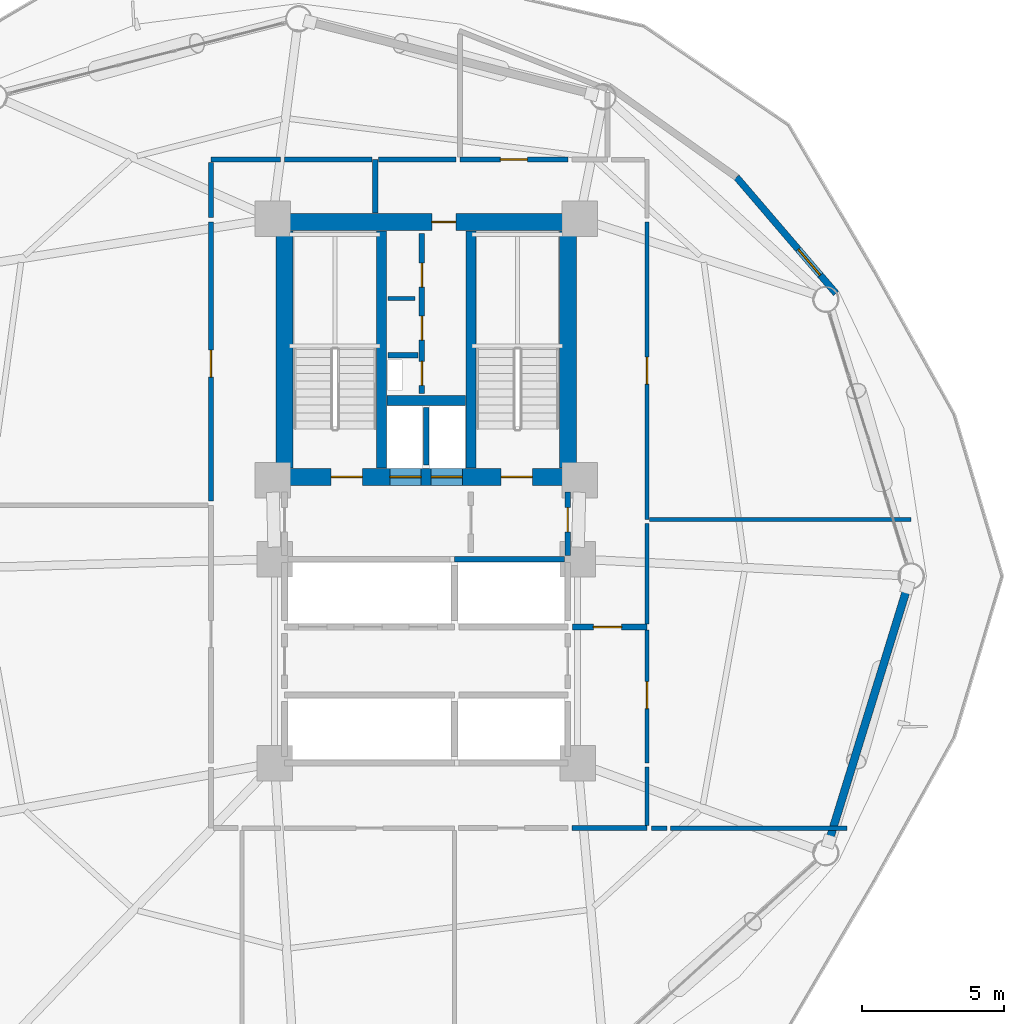
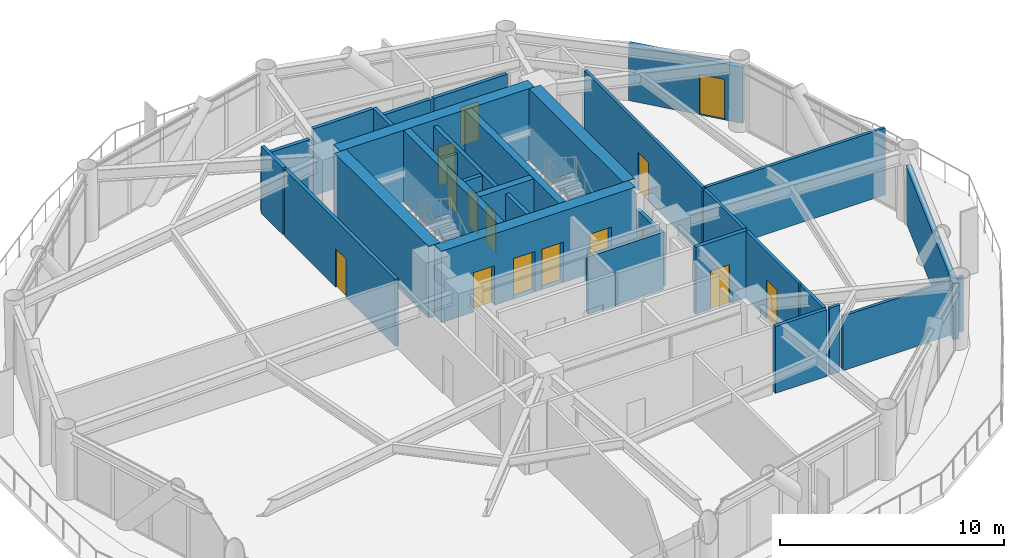
# One storey, part 18 of 22: 31 walls, 15 doors, 15 openings.
"""IFC4 building model written with IfcOpenShell, lengths in metres."""

from ifc_helpers import new_model, si_unit, direction, frame, frame_2d, origin, place, context, subcontext, project, spatial, rectangle, extrude, material, layer, layer_set, type_object, element, fill, save


model = new_model("IFC4")

# Units and contexts
model_context = context("Model", 3, precision=1e-05, world=origin(), true_north=direction((0.0, 1.0)))
body_context = subcontext(model_context, "Body", "Model", "MODEL_VIEW")
ifc_project = project(units=[si_unit("LENGTHUNIT", "METRE"), si_unit("AREAUNIT", "SQUARE_METRE"), si_unit("VOLUMEUNIT", "CUBIC_METRE"), si_unit("PLANEANGLEUNIT", "RADIAN"), si_unit("MASSUNIT", "GRAM", prefix="KILO")], contexts=[model_context])

# Site, building, storey
site_placement = place(None, origin())
site = spatial("IfcSite", under=ifc_project, at=site_placement, CompositionType="ELEMENT")
building_placement = place(site_placement, origin())
building = spatial("IfcBuilding", under=site, at=building_placement, Name="Varnakorn Sky Granary", CompositionType="ELEMENT")
storey_placement = place(building_placement, frame((0.0, 0.0, 66.60009765625)))
storey = spatial("IfcBuildingStorey", under=building, at=storey_placement, Name="L16", CompositionType="ELEMENT", Elevation=66.60009765625)

# Walls
ifc_material_1 = material(Name="Concrete C50/60", Category="concrete")
ifc_layer_1 = layer(ifc_material_1, 0.35009765625, Name="Concrete C50/60")
ifc_layer_set_1 = layer_set([ifc_layer_1], Name="Concrete C50/60")
wall_type_1 = type_object("IfcWallType", Name="WT-CW-INT-350", PredefinedType="SHEAR", material=ifc_layer_set_1)
for number, where, z_axis, x_axis, name in (
    (1, (1.419921875, 3.81005859375, 0.0), (0.0, 0.0, 1.0), (0.0, 1.0, 0.0), "Stair ST-1 Core Wall L16"),
    (2, (4.580078125, 3.81005859375, 0.0), (0.0, 0.0, 1.0), (0.0, 1.0, 0.0), "Stair ST-2 Core Wall L16"),
):
    element("IfcWall", number, at=place(storey_placement, frame(where, z_axis=z_axis, x_axis=x_axis)), inside=storey, type_object=wall_type_1, Name=name, PredefinedType="SHEAR", context=body_context, shape_type="SweptSolid", body=[
        extrude(rectangle(XDim=8.3798828125, YDim=0.35009765625, at=frame_2d((4.18994140625, 0.0))), origin(), (0.0, 0.0, 1.0), 3.891845703125),
    ])
wall_1_placement = place(storey_placement, frame((1.610107421875, 6.199951171875, 0.0), z_axis=(0.0, 0.0, 1.0), x_axis=(1.0, 0.0, 0.0)))
element("IfcWall", 3, at=wall_1_placement, inside=storey, type_object=wall_type_1, Name="Core Lift Shaft Cross Wall L16", PredefinedType="SHEAR", context=body_context, shape_type="SweptSolid", body=[
    extrude(rectangle(XDim=2.77978515625, YDim=0.35009765625, at=frame_2d((1.389892578125, 0.0))), origin(), (0.0, 0.0, 1.0), 3.891845703125),
])

# Wall, openings, doors
ifc_material_2 = material(Name="Concrete C60/75", Category="concrete")
ifc_layer_2 = layer(ifc_material_2, 0.60009765625, Name="Concrete C60/75")
ifc_layer_set_2 = layer_set([ifc_layer_2], Name="Concrete C60/75")
wall_type_2 = type_object("IfcWallType", Name="WT-CW-SHEAR-600", PredefinedType="SHEAR", material=ifc_layer_set_2)
wall_2_placement = place(storey_placement, frame((-2.0, 3.5, 0.0), z_axis=(0.0, 0.0, 1.0), x_axis=(1.0, 0.0, 0.0)))
wall_2 = element("IfcWall", 4, at=wall_2_placement, inside=storey, type_object=wall_type_2, Name="Core South Shear Wall L16", PredefinedType="SHEAR", context=body_context, shape_type="SweptSolid", body=[
    extrude(rectangle(XDim=10.0, YDim=0.60009765625, at=frame_2d((5.0, 0.0))), origin(), (0.0, 0.0, 1.0), 3.891845703125),
])
opening_1_placement = place(wall_2_placement, frame((1.64990234375, 0.0, 0.0)))
opening_1 = element("IfcOpeningElement", 5, at=opening_1_placement, cuts=wall_2, Name="Opening FD-90", PredefinedType="OPENING", context=body_context, shape_type="SweptSolid", body=[
    extrude(rectangle(XDim=1.10009765625, YDim=2.14990234375, at=frame_2d((0.550048828125, 1.074951171875))), frame((0.0, 0.31005859375, 0.0), z_axis=(0.0, -1.0, 0.0), x_axis=(1.0, 0.0, 0.0)), (0.0, 0.0, 1.0), 0.6201171875),
])
opening_2_placement = place(wall_2_placement, frame((7.64990234375, 0.0, 0.0)))
opening_2 = element("IfcOpeningElement", 6, at=opening_2_placement, cuts=wall_2, Name="Opening FD-90", PredefinedType="OPENING", context=body_context, shape_type="SweptSolid", body=[
    extrude(rectangle(XDim=1.10009765625, YDim=2.14990234375, at=frame_2d((0.550048828125, 1.074951171875))), frame((0.0, 0.31005859375, 0.0), z_axis=(0.0, -1.0, 0.0), x_axis=(1.0, 0.0, 0.0)), (0.0, 0.0, 1.0), 0.6201171875),
])
opening_3_placement = place(wall_2_placement, frame((3.719970703125, 0.0, 0.0)))
opening_3 = element("IfcOpeningElement", 7, at=opening_3_placement, cuts=wall_2, Name="Opening LD-01", PredefinedType="OPENING", context=body_context, shape_type="SweptSolid", body=[
    extrude(rectangle(XDim=1.10009765625, YDim=2.199951171875, at=frame_2d((0.550048828125, 1.10009765625))), frame((0.0, 0.31005859375, 0.0), z_axis=(0.0, -1.0, 0.0), x_axis=(1.0, 0.0, 0.0)), (0.0, 0.0, 1.0), 0.6201171875),
])
opening_4_placement = place(wall_2_placement, frame((5.179931640625, 0.0, 0.0)))
opening_4 = element("IfcOpeningElement", 8, at=opening_4_placement, cuts=wall_2, Name="Opening LD-01", PredefinedType="OPENING", context=body_context, shape_type="SweptSolid", body=[
    extrude(rectangle(XDim=1.10009765625, YDim=2.199951171875, at=frame_2d((0.550048828125, 1.10009765625))), frame((0.0, 0.31005859375, 0.0), z_axis=(0.0, -1.0, 0.0), x_axis=(1.0, 0.0, 0.0)), (0.0, 0.0, 1.0), 0.6201171875),
])
ifc_material_3 = material(Name="Brushed Bronze Stainless Steel", Category="steel")
door_type_1 = type_object("IfcDoorType", Name="DR-LD-1100", OperationType="DOUBLE_DOOR_SLIDING", PredefinedType="DOOR", material=ifc_material_3)
door_1_placement = place(opening_3_placement, origin())
door_1 = element("IfcDoor", 9, at=door_1_placement, inside=storey, type_object=door_type_1, Name="Firefighting Lift FFL-1 Landing Door L16", OperationType="DOUBLE_DOOR_SLIDING", OverallHeight=2.199951171875, OverallWidth=1.10009765625, PredefinedType="DOOR", context=body_context, shape_type="SweptSolid", body=[
    extrude(rectangle(XDim=1.10009765625, YDim=2.199951171875, at=frame_2d((0.550048828125, 1.10009765625))), frame((0.0, 0.02490234375, 0.0), z_axis=(0.0, -1.0, 0.0), x_axis=(1.0, 0.0, 0.0)), (0.0, 0.0, 1.0), 0.050048828125),
])
fill(opening_3, door_1)
door_2_placement = place(opening_4_placement, origin())
door_2 = element("IfcDoor", 10, at=door_2_placement, inside=storey, type_object=door_type_1, Name="Firefighting Lift FFL-2 Landing Door L16", OperationType="DOUBLE_DOOR_SLIDING", OverallHeight=2.199951171875, OverallWidth=1.10009765625, PredefinedType="DOOR", context=body_context, shape_type="SweptSolid", body=[
    extrude(rectangle(XDim=1.10009765625, YDim=2.199951171875, at=frame_2d((0.550048828125, 1.10009765625))), frame((0.0, 0.02490234375, 0.0), z_axis=(0.0, -1.0, 0.0), x_axis=(1.0, 0.0, 0.0)), (0.0, 0.0, 1.0), 0.050048828125),
])
fill(opening_4, door_2)
ifc_material_4 = material(Name="Galvanised Painted Steel Leaf", Category="steel")
door_type_2 = type_object("IfcDoorType", Name="DR-STAIR-1100", OperationType="NOTDEFINED", PredefinedType="DOOR", material=ifc_material_4)
door_3_placement = place(opening_1_placement, origin())
door_3 = element("IfcDoor", 11, at=door_3_placement, inside=storey, type_object=door_type_2, Name="Stair ST-1 Protected Fire Door L16", OperationType="SINGLE_SWING_LEFT", OverallHeight=2.14990234375, OverallWidth=1.10009765625, PredefinedType="DOOR", context=body_context, shape_type="SweptSolid", body=[
    extrude(rectangle(XDim=1.10009765625, YDim=2.14990234375, at=frame_2d((0.550048828125, 1.074951171875))), frame((0.0, 0.02490234375, 0.0), z_axis=(0.0, -1.0, 0.0), x_axis=(1.0, 0.0, 0.0)), (0.0, 0.0, 1.0), 0.050048828125),
])
fill(opening_1, door_3)
door_4_placement = place(opening_2_placement, origin())
door_4 = element("IfcDoor", 12, at=door_4_placement, inside=storey, type_object=door_type_2, Name="Stair ST-2 Protected Fire Door L16", OperationType="SINGLE_SWING_RIGHT", OverallHeight=2.14990234375, OverallWidth=1.10009765625, PredefinedType="DOOR", context=body_context, shape_type="SweptSolid", body=[
    extrude(rectangle(XDim=1.10009765625, YDim=2.14990234375, at=frame_2d((0.550048828125, 1.074951171875))), frame((0.0, 0.02490234375, 0.0), z_axis=(0.0, -1.0, 0.0), x_axis=(1.0, 0.0, 0.0)), (0.0, 0.0, 1.0), 0.050048828125),
])
fill(opening_2, door_4)

# Wall, opening, door
wall_3_placement = place(storey_placement, frame((-2.0, 12.5, 0.0), z_axis=(0.0, 0.0, 1.0), x_axis=(1.0, 0.0, 0.0)))
wall_3 = element("IfcWall", 13, at=wall_3_placement, inside=storey, type_object=wall_type_2, Name="Core North Shear Wall L16", PredefinedType="SHEAR", context=body_context, shape_type="SweptSolid", body=[
    extrude(rectangle(XDim=10.0, YDim=0.60009765625, at=frame_2d((5.0, 0.0))), origin(), (0.0, 0.0, 1.0), 3.891845703125),
])
opening_5_placement = place(wall_3_placement, frame((5.199951171875, 0.0, 0.0)))
opening_5 = element("IfcOpeningElement", 14, at=opening_5_placement, cuts=wall_3, Name="Opening FD-60N", PredefinedType="OPENING", context=body_context, shape_type="SweptSolid", body=[
    extrude(rectangle(XDim=0.85009765625, YDim=2.10009765625, at=frame_2d((0.425048828125, 1.050048828125))), frame((0.0, 0.31005859375, 0.0), z_axis=(0.0, -1.0, 0.0), x_axis=(1.0, 0.0, 0.0)), (0.0, 0.0, 1.0), 0.6201171875),
])
ifc_material_5 = material(Name="Acoustic Timber Fire Leaf", Category="wood")
door_type_3 = type_object("IfcDoorType", Name="DR-FD60-850", OperationType="NOTDEFINED", PredefinedType="DOOR", material=ifc_material_5)
door_5_placement = place(opening_5_placement, origin())
door_5 = element("IfcDoor", 15, at=door_5_placement, inside=storey, type_object=door_type_3, Name="Core North Service Door L16", OperationType="SINGLE_SWING_RIGHT", OverallHeight=2.10009765625, OverallWidth=0.85009765625, PredefinedType="DOOR", context=body_context, shape_type="SweptSolid", body=[
    extrude(rectangle(XDim=0.85009765625, YDim=2.10009765625, at=frame_2d((0.425048828125, 1.050048828125))), frame((0.0, 0.02490234375, 0.0), z_axis=(0.0, -1.0, 0.0), x_axis=(1.0, 0.0, 0.0)), (0.0, 0.0, 1.0), 0.050048828125),
])
fill(opening_5, door_5)

# Walls
for number, where, z_axis, x_axis, name in (
    (16, (-2.0, 3.81005859375, 0.0), (0.0, 0.0, 1.0), (0.0, 1.0, 0.0), "Core West Shear Wall L16"),
    (17, (8.0, 3.81005859375, 0.0), (0.0, 0.0, 1.0), (0.0, 1.0, 0.0), "Core East Shear Wall L16"),
):
    element("IfcWall", number, at=place(storey_placement, frame(where, z_axis=z_axis, x_axis=x_axis)), inside=storey, type_object=wall_type_2, Name=name, PredefinedType="SHEAR", context=body_context, shape_type="SweptSolid", body=[
        extrude(rectangle(XDim=8.3798828125, YDim=0.60009765625, at=frame_2d((4.18994140625, 0.0))), origin(), (0.0, 0.0, 1.0), 3.891845703125),
    ])

# Wall, opening, door
ifc_material_6 = material(Name="Precast concrete C40/50", Category="concrete")
ifc_layer_3 = layer(ifc_material_6, 0.239990234375, Name="Precast concrete C40/50")
ifc_layer_set_3 = layer_set([ifc_layer_3], Name="Precast concrete C40/50")
wall_type_3 = type_object("IfcWallType", Name="WT-EW-BAL-260", PredefinedType="SOLIDWALL", material=ifc_layer_set_3)
wall_4_placement = place(storey_placement, frame((13.95654296875, 14.079833984375, 0.0), z_axis=(0.0, 0.0, 1.0), x_axis=(0.650526988361, -0.759483138334, 0.0)))
wall_4 = element("IfcWall", 18, at=wall_4_placement, inside=storey, type_object=wall_type_3, Name="Balcony Threshold Facade Wall L16-B02A", PredefinedType="SOLIDWALL", context=body_context, shape_type="SweptSolid", body=[
    extrude(rectangle(XDim=5.400146484375, YDim=0.239990234375, at=frame_2d((2.7001953125, 0.0))), origin(), (0.0, 0.0, 1.0), 3.059814453125),
])
opening_6_placement = place(wall_4_placement, frame((3.35009765625, 0.0, 0.0)))
opening_6 = element("IfcOpeningElement", 19, at=opening_6_placement, cuts=wall_4, Name="Opening BD-01", PredefinedType="OPENING", context=body_context, shape_type="SweptSolid", body=[
    extrude(rectangle(XDim=1.199951171875, YDim=2.199951171875, at=frame_2d((0.60009765625, 1.10009765625))), frame((0.0, 0.1298828125, 0.0), z_axis=(0.0, -1.0, 0.0), x_axis=(1.0, 0.0, 0.0)), (0.0, 0.0, 1.0), 0.260009765625),
])
ifc_material_7 = material(Name="Anodised Bronze Aluminium Alloy 6063-T6", Category="aluminium")
door_type_4 = type_object("IfcDoorType", Name="DR-BAL-1200", OperationType="NOTDEFINED", PredefinedType="DOOR", material=ifc_material_7)
door_6_placement = place(opening_6_placement, origin())
door_6 = element("IfcDoor", 20, at=door_6_placement, inside=storey, type_object=door_type_4, Name="Sky-Farm Balcony Access Door L16", OperationType="SINGLE_SWING_RIGHT", OverallHeight=2.199951171875, OverallWidth=1.199951171875, PredefinedType="DOOR", context=body_context, shape_type="SweptSolid", body=[
    extrude(rectangle(XDim=1.199951171875, YDim=2.199951171875, at=frame_2d((0.60009765625, 1.10009765625))), frame((0.0, 0.02490234375, 0.0), z_axis=(0.0, -1.0, 0.0), x_axis=(1.0, 0.0, 0.0)), (0.0, 0.0, 1.0), 0.050048828125),
])
fill(opening_6, door_6)

# Wall
ifc_layer_4 = layer(ifc_material_6, 0.280029296875, Name="Precast concrete C40/50")
ifc_layer_set_4 = layer_set([ifc_layer_4], Name="Precast concrete C40/50")
wall_type_4 = type_object("IfcWallType", Name="WT-EW-CRN-280", PredefinedType="SOLIDWALL", material=ifc_layer_set_4)
wall_5_placement = place(storey_placement, frame((19.987548828125, -0.393798828125, 0.0), z_axis=(0.0, 0.0, 1.0), x_axis=(-0.294783437879, -0.955564087203, 0.0)))
element("IfcWall", 21, at=wall_5_placement, inside=storey, type_object=wall_type_4, Name="Agritech Insulated Precast Facade Wall L16-P12", PredefinedType="SOLIDWALL", context=body_context, shape_type="SweptSolid", body=[
    extrude(rectangle(XDim=9.3935546875, YDim=0.280029296875, at=frame_2d((4.69677734375, 0.0))), origin(), (0.0, 0.0, 1.0), 3.059814453125),
])

# Wall, openings, doors
ifc_material_8 = material(Name="Autoclaved Aerated Concrete Blockwork", Category="masonry")
ifc_layer_5 = layer(ifc_material_8, 0.199951171875, Name="Autoclaved Aerated Concrete Blockwork")
ifc_layer_set_5 = layer_set([ifc_layer_5], Name="Autoclaved Aerated Concrete Blockwork")
wall_type_5 = type_object("IfcWallType", Name="WT-FIRE-200", PredefinedType="MOVABLE", material=ifc_layer_set_5)
wall_6_placement = place(storey_placement, frame((2.85009765625, 6.449951171875, 0.0), z_axis=(0.0, 0.0, 1.0), x_axis=(0.0, 1.0, 0.0)))
wall_6 = element("IfcWall", 22, at=wall_6_placement, inside=storey, type_object=wall_type_5, Name="Interior Partition Wall L16-016", PredefinedType="MOVABLE", context=body_context, shape_type="SweptSolid", body=[
    extrude(rectangle(XDim=5.650146484375, YDim=0.199951171875, at=frame_2d((2.8251953125, 0.0))), origin(), (0.0, 0.0, 1.0), 3.639892578125),
])
opening_7_placement = place(wall_6_placement, frame((1.8798828125, 0.0, 0.0)))
opening_7 = element("IfcOpeningElement", 23, at=opening_7_placement, cuts=wall_6, Name="Opening RD-85", PredefinedType="OPENING", context=body_context, shape_type="SweptSolid", body=[
    extrude(rectangle(XDim=0.85009765625, YDim=2.050048828125, at=frame_2d((0.425048828125, 1.02490234375))), frame((0.0, 0.10986328125, 0.0), z_axis=(0.0, -1.0, 0.0), x_axis=(1.0, 0.0, 0.0)), (0.0, 0.0, 1.0), 0.219970703125),
])
opening_8_placement = place(wall_6_placement, frame((3.75, 0.0, 0.0)))
opening_8 = element("IfcOpeningElement", 24, at=opening_8_placement, cuts=wall_6, Name="Opening FD-60N", PredefinedType="OPENING", context=body_context, shape_type="SweptSolid", body=[
    extrude(rectangle(XDim=0.85009765625, YDim=2.10009765625, at=frame_2d((0.425048828125, 1.050048828125))), frame((0.0, 0.10986328125, 0.0), z_axis=(0.0, -1.0, 0.0), x_axis=(1.0, 0.0, 0.0)), (0.0, 0.0, 1.0), 0.219970703125),
])
opening_9_placement = place(wall_6_placement, frame((0.280029296875, 0.0, 0.0)))
opening_9 = element("IfcOpeningElement", 25, at=opening_9_placement, cuts=wall_6, Name="Opening FD-60N", PredefinedType="OPENING", context=body_context, shape_type="SweptSolid", body=[
    extrude(rectangle(XDim=0.85009765625, YDim=2.10009765625, at=frame_2d((0.425048828125, 1.050048828125))), frame((0.0, 0.10986328125, 0.0), z_axis=(0.0, -1.0, 0.0), x_axis=(1.0, 0.0, 0.0)), (0.0, 0.0, 1.0), 0.219970703125),
])
door_7_placement = place(opening_8_placement, origin())
door_7 = element("IfcDoor", 26, at=door_7_placement, inside=storey, type_object=door_type_3, Name="Interior Door L16-016-2", OperationType="SINGLE_SWING_LEFT", OverallHeight=2.10009765625, OverallWidth=0.85009765625, PredefinedType="DOOR", context=body_context, shape_type="SweptSolid", body=[
    extrude(rectangle(XDim=0.85009765625, YDim=2.10009765625, at=frame_2d((0.425048828125, 1.050048828125))), frame((0.0, 0.02490234375, 0.0), z_axis=(0.0, -1.0, 0.0), x_axis=(1.0, 0.0, 0.0)), (0.0, 0.0, 1.0), 0.050048828125),
])
fill(opening_8, door_7)
door_8_placement = place(opening_9_placement, origin())
door_8 = element("IfcDoor", 27, at=door_8_placement, inside=storey, type_object=door_type_3, Name="Interior Door L16-016-3", OperationType="SINGLE_SWING_RIGHT", OverallHeight=2.10009765625, OverallWidth=0.85009765625, PredefinedType="DOOR", context=body_context, shape_type="SweptSolid", body=[
    extrude(rectangle(XDim=0.85009765625, YDim=2.10009765625, at=frame_2d((0.425048828125, 1.050048828125))), frame((0.0, 0.02490234375, 0.0), z_axis=(0.0, -1.0, 0.0), x_axis=(1.0, 0.0, 0.0)), (0.0, 0.0, 1.0), 0.050048828125),
])
fill(opening_9, door_8)
door_type_5 = type_object("IfcDoorType", Name="DR-RIS-850", OperationType="NOTDEFINED", PredefinedType="DOOR", material=ifc_material_4)
door_9_placement = place(opening_7_placement, origin())
door_9 = element("IfcDoor", 28, at=door_9_placement, inside=storey, type_object=door_type_5, Name="MEP Riser Shaft Access Door L16-016-1", OperationType="SINGLE_SWING_RIGHT", OverallHeight=2.050048828125, OverallWidth=0.85009765625, PredefinedType="DOOR", context=body_context, shape_type="SweptSolid", body=[
    extrude(rectangle(XDim=0.85009765625, YDim=2.050048828125, at=frame_2d((0.425048828125, 1.02490234375))), frame((0.0, 0.02490234375, 0.0), z_axis=(0.0, -1.0, 0.0), x_axis=(1.0, 0.0, 0.0)), (0.0, 0.0, 1.0), 0.050048828125),
])
fill(opening_7, door_9)

# Wall, opening, door
wall_7_placement = place(storey_placement, frame((8.0, 0.719970703125, 0.0), z_axis=(0.0, 0.0, 1.0), x_axis=(0.0, 1.0, 0.0)))
wall_7 = element("IfcWall", 29, at=wall_7_placement, inside=storey, type_object=wall_type_5, Name="Interior Partition Wall L16-019", PredefinedType="MOVABLE", context=body_context, shape_type="SweptSolid", body=[
    extrude(rectangle(XDim=2.25, YDim=0.199951171875, at=frame_2d((1.125, 0.0))), origin(), (0.0, 0.0, 1.0), 2.871826171875),
])
opening_10_placement = place(wall_7_placement, frame((0.844970703125, 0.0, 0.0)))
opening_10 = element("IfcOpeningElement", 30, at=opening_10_placement, cuts=wall_7, Name="Opening FD-60N", PredefinedType="OPENING", context=body_context, shape_type="SweptSolid", body=[
    extrude(rectangle(XDim=0.85009765625, YDim=2.10009765625, at=frame_2d((0.425048828125, 1.050048828125))), frame((0.0, 0.10986328125, 0.0), z_axis=(0.0, -1.0, 0.0), x_axis=(1.0, 0.0, 0.0)), (0.0, 0.0, 1.0), 0.219970703125),
])
door_10_placement = place(opening_10_placement, origin())
door_10 = element("IfcDoor", 31, at=door_10_placement, inside=storey, type_object=door_type_3, Name="Interior Door L16-019-1", OperationType="SINGLE_SWING_LEFT", OverallHeight=2.10009765625, OverallWidth=0.85009765625, PredefinedType="DOOR", context=body_context, shape_type="SweptSolid", body=[
    extrude(rectangle(XDim=0.85009765625, YDim=2.10009765625, at=frame_2d((0.425048828125, 1.050048828125))), frame((0.0, 0.02490234375, 0.0), z_axis=(0.0, -1.0, 0.0), x_axis=(1.0, 0.0, 0.0)), (0.0, 0.0, 1.0), 0.050048828125),
])
fill(opening_10, door_10)

wall_8_placement = place(storey_placement, frame((8.159912109375, -1.800048828125, 0.0), z_axis=(0.0, 0.0, 1.0), x_axis=(1.0, 0.0, 0.0)))
wall_8 = element("IfcWall", 32, at=wall_8_placement, inside=storey, type_object=wall_type_5, Name="Interior Partition Wall L16-022", PredefinedType="MOVABLE", context=body_context, shape_type="SweptSolid", body=[
    extrude(rectangle(XDim=2.64013671875, YDim=0.199951171875, at=frame_2d((1.320068359375, 0.0))), origin(), (0.0, 0.0, 1.0), 3.639892578125),
])
opening_11_placement = place(wall_8_placement, frame((0.739990234375, 0.0, 0.0)))
opening_11 = element("IfcOpeningElement", 33, at=opening_11_placement, cuts=wall_8, Name="Opening FD-60", PredefinedType="OPENING", context=body_context, shape_type="SweptSolid", body=[
    extrude(rectangle(XDim=1.0, YDim=2.10009765625, at=frame_2d((0.5, 1.050048828125))), frame((0.0, 0.10986328125, 0.0), z_axis=(0.0, -1.0, 0.0), x_axis=(1.0, 0.0, 0.0)), (0.0, 0.0, 1.0), 0.219970703125),
])
door_type_6 = type_object("IfcDoorType", Name="DR-FD60-1000", OperationType="NOTDEFINED", PredefinedType="DOOR", material=ifc_material_5)
door_11_placement = place(opening_11_placement, origin())
door_11 = element("IfcDoor", 34, at=door_11_placement, inside=storey, type_object=door_type_6, Name="Interior Door L16-022-1", OperationType="SINGLE_SWING_RIGHT", OverallHeight=2.10009765625, OverallWidth=1.0, PredefinedType="DOOR", context=body_context, shape_type="SweptSolid", body=[
    extrude(rectangle(XDim=1.0, YDim=2.10009765625, at=frame_2d((0.5, 1.050048828125))), frame((0.0, 0.02490234375, 0.0), z_axis=(0.0, -1.0, 0.0), x_axis=(1.0, 0.0, 0.0)), (0.0, 0.0, 1.0), 0.050048828125),
])
fill(opening_11, door_11)

# Wall
wall_9_placement = place(storey_placement, frame((1.199951171875, 14.699951171875, 0.0), z_axis=(0.0, 0.0, 1.0), x_axis=(0.0, -1.0, 0.0)))
element("IfcWall", 35, at=wall_9_placement, inside=storey, type_object=wall_type_5, Name="Interior Partition Wall L16-032", PredefinedType="MOVABLE", context=body_context, shape_type="SweptSolid", body=[
    extrude(rectangle(XDim=1.889892578125, YDim=0.199951171875, at=frame_2d((0.94482421875, 0.0))), origin(), (0.0, 0.0, 1.0), 3.639892578125),
])

# Wall, opening, door
ifc_material_9 = material(Name="Gypsum Plasterboard on Steel Stud", Category="steel")
ifc_layer_6 = layer(ifc_material_9, 0.14990234375, Name="Gypsum Plasterboard on Steel Stud")
ifc_layer_set_6 = layer_set([ifc_layer_6], Name="Gypsum Plasterboard on Steel Stud")
wall_type_6 = type_object("IfcWallType", Name="WT-PART-150", PredefinedType="PARTITIONING", material=ifc_layer_set_6)
wall_10_placement = place(storey_placement, frame((10.800048828125, -6.60009765625, 0.0), z_axis=(0.0, 0.0, 1.0), x_axis=(0.0, 1.0, 0.0)))
wall_10 = element("IfcWall", 36, at=wall_10_placement, inside=storey, type_object=wall_type_6, Name="Interior Partition Wall L16-028", PredefinedType="PARTITIONING", context=body_context, shape_type="SweptSolid", body=[
    extrude(rectangle(XDim=4.690185546875, YDim=0.14990234375, at=frame_2d((2.34521484375, 0.0))), origin(), (0.0, 0.0, 1.0), 3.639892578125),
])
opening_12_placement = place(wall_10_placement, frame((1.925048828125, 0.0, 0.0)))
opening_12 = element("IfcOpeningElement", 37, at=opening_12_placement, cuts=wall_10, Name="Opening ID-95", PredefinedType="OPENING", context=body_context, shape_type="SweptSolid", body=[
    extrude(rectangle(XDim=0.949951171875, YDim=2.10009765625, at=frame_2d((0.47509765625, 1.050048828125))), frame((0.0, 0.0849609375, 0.0), z_axis=(0.0, -1.0, 0.0), x_axis=(1.0, 0.0, 0.0)), (0.0, 0.0, 1.0), 0.169921875),
])
ifc_material_10 = material(Name="Solid-Core Teak Veneer Leaf", Category="timber")
door_type_7 = type_object("IfcDoorType", Name="DR-INT-950", OperationType="NOTDEFINED", PredefinedType="DOOR", material=ifc_material_10)
door_12_placement = place(opening_12_placement, origin())
door_12 = element("IfcDoor", 38, at=door_12_placement, inside=storey, type_object=door_type_7, Name="Interior Door L16-028-1", OperationType="SINGLE_SWING_RIGHT", OverallHeight=2.10009765625, OverallWidth=0.949951171875, PredefinedType="DOOR", context=body_context, shape_type="SweptSolid", body=[
    extrude(rectangle(XDim=0.949951171875, YDim=2.10009765625, at=frame_2d((0.47509765625, 1.050048828125))), frame((0.0, 0.02490234375, 0.0), z_axis=(0.0, -1.0, 0.0), x_axis=(1.0, 0.0, 0.0)), (0.0, 0.0, 1.0), 0.050048828125),
])
fill(opening_12, door_12)

wall_11_placement = place(storey_placement, frame((10.800048828125, 2.0, 0.0), z_axis=(0.0, 0.0, 1.0), x_axis=(0.0, 1.0, 0.0)))
wall_11 = element("IfcWall", 39, at=wall_11_placement, inside=storey, type_object=wall_type_6, Name="Interior Partition Wall L16-029", PredefinedType="PARTITIONING", context=body_context, shape_type="SweptSolid", body=[
    extrude(rectangle(XDim=10.5, YDim=0.14990234375, at=frame_2d((5.25, 0.0))), origin(), (0.0, 0.0, 1.0), 3.639892578125),
])
opening_13_placement = place(wall_11_placement, frame((4.77490234375, 0.0, 0.0)))
opening_13 = element("IfcOpeningElement", 40, at=opening_13_placement, cuts=wall_11, Name="Opening ID-95", PredefinedType="OPENING", context=body_context, shape_type="SweptSolid", body=[
    extrude(rectangle(XDim=0.949951171875, YDim=2.10009765625, at=frame_2d((0.47509765625, 1.050048828125))), frame((0.0, 0.0849609375, 0.0), z_axis=(0.0, -1.0, 0.0), x_axis=(1.0, 0.0, 0.0)), (0.0, 0.0, 1.0), 0.169921875),
])
door_13_placement = place(opening_13_placement, origin())
door_13 = element("IfcDoor", 41, at=door_13_placement, inside=storey, type_object=door_type_7, Name="Interior Door L16-029-1", OperationType="SINGLE_SWING_LEFT", OverallHeight=2.10009765625, OverallWidth=0.949951171875, PredefinedType="DOOR", context=body_context, shape_type="SweptSolid", body=[
    extrude(rectangle(XDim=0.949951171875, YDim=2.10009765625, at=frame_2d((0.47509765625, 1.050048828125))), frame((0.0, 0.02490234375, 0.0), z_axis=(0.0, -1.0, 0.0), x_axis=(1.0, 0.0, 0.0)), (0.0, 0.0, 1.0), 0.050048828125),
])
fill(opening_13, door_13)

# Walls
wall_12_placement = place(storey_placement, frame((1.64990234375, 9.800048828125, 0.0), z_axis=(0.0, 0.0, 1.0), x_axis=(1.0, 0.0, 0.0)))
element("IfcWall", 42, at=wall_12_placement, inside=storey, type_object=wall_type_6, Name="Interior Partition Wall L16-030", PredefinedType="PARTITIONING", context=body_context, shape_type="SweptSolid", body=[
    extrude(rectangle(XDim=0.960205078125, YDim=0.14990234375, at=frame_2d((0.47998046875, 0.0))), origin(), (0.0, 0.0, 1.0), 3.639892578125),
])
wall_13_placement = place(storey_placement, frame((10.949951171875, -8.89990234375, 0.0), z_axis=(0.0, 0.0, 1.0), x_axis=(1.0, 0.0, 0.0)))
element("IfcWall", 43, at=wall_13_placement, inside=storey, type_object=wall_type_6, Name="Interior Partition Wall L16-038", PredefinedType="PARTITIONING", context=body_context, shape_type="SweptSolid", body=[
    extrude(rectangle(XDim=0.550048828125, YDim=0.14990234375, at=frame_2d((0.27490234375, 0.0))), origin(), (0.0, 0.0, 1.0), 3.639892578125),
])
wall_14_placement = place(storey_placement, frame((11.635009765625, -8.89990234375, 0.0), z_axis=(0.0, 0.0, 1.0), x_axis=(1.0, 0.0, 0.0)))
element("IfcWall", 44, at=wall_14_placement, inside=storey, type_object=wall_type_6, Name="Interior Partition Wall L16-039", PredefinedType="PARTITIONING", context=body_context, shape_type="SweptSolid", body=[
    extrude(rectangle(XDim=6.215087890625, YDim=0.14990234375, at=frame_2d((3.107421875, 0.0))), origin(), (0.0, 0.0, 1.0), 2.971923828125),
])
wall_15_placement = place(storey_placement, frame((10.800048828125, -8.800048828125, 0.0), z_axis=(0.0, 0.0, 1.0), x_axis=(0.0, 1.0, 0.0)))
element("IfcWall", 45, at=wall_15_placement, inside=storey, type_object=wall_type_6, Name="Interior Partition Wall L16-049", PredefinedType="PARTITIONING", context=body_context, shape_type="SweptSolid", body=[
    extrude(rectangle(XDim=2.06494140625, YDim=0.14990234375, at=frame_2d((1.032470703125, 0.0))), origin(), (0.0, 0.0, 1.0), 3.639892578125),
])
wall_16_placement = place(storey_placement, frame((10.800048828125, -1.68994140625, 0.0), z_axis=(0.0, 0.0, 1.0), x_axis=(0.0, 1.0, 0.0)))
element("IfcWall", 46, at=wall_16_placement, inside=storey, type_object=wall_type_6, Name="Interior Partition Wall L16-050", PredefinedType="PARTITIONING", context=body_context, shape_type="SweptSolid", body=[
    extrude(rectangle(XDim=3.554931640625, YDim=0.14990234375, at=frame_2d((1.77734375, 0.0))), origin(), (0.0, 0.0, 1.0), 3.639892578125),
])
wall_17_placement = place(storey_placement, frame((10.885009765625, 2.0, 0.0), z_axis=(0.0, 0.0, 1.0), x_axis=(1.0, 0.0, 0.0)))
element("IfcWall", 47, at=wall_17_placement, inside=storey, type_object=wall_type_6, Name="Interior Partition Wall L16-051", PredefinedType="PARTITIONING", context=body_context, shape_type="SweptSolid", body=[
    extrude(rectangle(XDim=9.22802734375, YDim=0.14990234375, at=frame_2d((4.614013671875, 0.0))), origin(), (0.0, 0.0, 1.0), 3.639892578125),
])

# Wall, opening, door
ifc_material_11 = material(Name="Moisture-Resistant Gypsum on Stud", Category="gypsum")
ifc_layer_7 = layer(ifc_material_11, 0.179931640625, Name="Moisture-Resistant Gypsum on Stud")
ifc_layer_set_7 = layer_set([ifc_layer_7], Name="Moisture-Resistant Gypsum on Stud")
wall_type_7 = type_object("IfcWallType", Name="WT-PLUMB-180", PredefinedType="PLUMBINGWALL", material=ifc_layer_set_7)
wall_18_placement = place(storey_placement, frame((8.0, 14.699951171875, 0.0), z_axis=(0.0, 0.0, 1.0), x_axis=(-1.0, 0.0, 0.0)))
wall_18 = element("IfcWall", 48, at=wall_18_placement, inside=storey, type_object=wall_type_7, Name="Interior Partition Wall L16-023", PredefinedType="PLUMBINGWALL", context=body_context, shape_type="SweptSolid", body=[
    extrude(rectangle(XDim=3.800048828125, YDim=0.179931640625, at=frame_2d((1.89990234375, 0.0))), origin(), (0.0, 0.0, 1.0), 3.121826171875),
])
opening_14_placement = place(wall_18_placement, frame((1.425048828125, 0.0, 0.0)))
opening_14 = element("IfcOpeningElement", 49, at=opening_14_placement, cuts=wall_18, Name="Opening ID-95", PredefinedType="OPENING", context=body_context, shape_type="SweptSolid", body=[
    extrude(rectangle(XDim=0.949951171875, YDim=2.10009765625, at=frame_2d((0.47509765625, 1.050048828125))), frame((0.0, 0.10009765625, 0.0), z_axis=(0.0, -1.0, 0.0), x_axis=(1.0, 0.0, 0.0)), (0.0, 0.0, 1.0), 0.199951171875),
])
door_14_placement = place(opening_14_placement, origin())
door_14 = element("IfcDoor", 50, at=door_14_placement, inside=storey, type_object=door_type_7, Name="Interior Door L16-023-1", OperationType="SINGLE_SWING_LEFT", OverallHeight=2.10009765625, OverallWidth=0.949951171875, PredefinedType="DOOR", context=body_context, shape_type="SweptSolid", body=[
    extrude(rectangle(XDim=0.949951171875, YDim=2.10009765625, at=frame_2d((0.47509765625, 1.050048828125))), frame((0.0, 0.02490234375, 0.0), z_axis=(0.0, -1.0, 0.0), x_axis=(1.0, 0.0, 0.0)), (0.0, 0.0, 1.0), 0.050048828125),
])
fill(opening_14, door_14)

wall_19_placement = place(storey_placement, frame((-4.60009765625, 12.5, 0.0), z_axis=(0.0, 0.0, 1.0), x_axis=(0.0, -1.0, 0.0)))
wall_19 = element("IfcWall", 51, at=wall_19_placement, inside=storey, type_object=wall_type_7, Name="Interior Partition Wall L16-027", PredefinedType="PLUMBINGWALL", context=body_context, shape_type="SweptSolid", body=[
    extrude(rectangle(XDim=9.85009765625, YDim=0.179931640625, at=frame_2d((4.925048828125, 0.0))), origin(), (0.0, 0.0, 1.0), 3.639892578125),
])
opening_15_placement = place(wall_19_placement, frame((4.52490234375, 0.0, 0.0)))
opening_15 = element("IfcOpeningElement", 52, at=opening_15_placement, cuts=wall_19, Name="Opening ID-95", PredefinedType="OPENING", context=body_context, shape_type="SweptSolid", body=[
    extrude(rectangle(XDim=0.949951171875, YDim=2.10009765625, at=frame_2d((0.47509765625, 1.050048828125))), frame((0.0, 0.10009765625, 0.0), z_axis=(0.0, -1.0, 0.0), x_axis=(1.0, 0.0, 0.0)), (0.0, 0.0, 1.0), 0.199951171875),
])
door_15_placement = place(opening_15_placement, origin())
door_15 = element("IfcDoor", 53, at=door_15_placement, inside=storey, type_object=door_type_7, Name="Interior Door L16-027-1", OperationType="SINGLE_SWING_LEFT", OverallHeight=2.10009765625, OverallWidth=0.949951171875, PredefinedType="DOOR", context=body_context, shape_type="SweptSolid", body=[
    extrude(rectangle(XDim=0.949951171875, YDim=2.10009765625, at=frame_2d((0.47509765625, 1.050048828125))), frame((0.0, 0.02490234375, 0.0), z_axis=(0.0, -1.0, 0.0), x_axis=(1.0, 0.0, 0.0)), (0.0, 0.0, 1.0), 0.050048828125),
])
fill(opening_15, door_15)

# Walls
wall_20_placement = place(storey_placement, frame((8.14990234375, -8.89990234375, 0.0), z_axis=(0.0, 0.0, 1.0), x_axis=(1.0, 0.0, 0.0)))
element("IfcWall", 54, at=wall_20_placement, inside=storey, type_object=wall_type_7, Name="Interior Partition Wall L16-037", PredefinedType="PLUMBINGWALL", context=body_context, shape_type="SweptSolid", body=[
    extrude(rectangle(XDim=2.650146484375, YDim=0.179931640625, at=frame_2d((1.3251953125, 0.0))), origin(), (0.0, 0.0, 1.0), 3.639892578125),
])
wall_21_placement = place(storey_placement, frame((1.090087890625, 14.699951171875, 0.0), z_axis=(0.0, 0.0, 1.0), x_axis=(-1.0, 0.0, 0.0)))
element("IfcWall", 55, at=wall_21_placement, inside=storey, type_object=wall_type_7, Name="Interior Partition Wall L16-043", PredefinedType="PLUMBINGWALL", context=body_context, shape_type="SweptSolid", body=[
    extrude(rectangle(XDim=3.090087890625, YDim=0.179931640625, at=frame_2d((1.544921875, 0.0))), origin(), (0.0, 0.0, 1.0), 3.639892578125),
])
wall_22_placement = place(storey_placement, frame((-2.14990234375, 14.699951171875, 0.0), z_axis=(0.0, 0.0, 1.0), x_axis=(-1.0, 0.0, 0.0)))
element("IfcWall", 56, at=wall_22_placement, inside=storey, type_object=wall_type_7, Name="Interior Partition Wall L16-044", PredefinedType="PLUMBINGWALL", context=body_context, shape_type="SweptSolid", body=[
    extrude(rectangle(XDim=2.4501953125, YDim=0.179931640625, at=frame_2d((1.22509765625, 0.0))), origin(), (0.0, 0.0, 1.0), 3.121826171875),
])
wall_23_placement = place(storey_placement, frame((-4.60009765625, 14.60009765625, 0.0), z_axis=(0.0, 0.0, 1.0), x_axis=(0.0, -1.0, 0.0)))
element("IfcWall", 57, at=wall_23_placement, inside=storey, type_object=wall_type_7, Name="Interior Partition Wall L16-045", PredefinedType="PLUMBINGWALL", context=body_context, shape_type="SweptSolid", body=[
    extrude(rectangle(XDim=1.9501953125, YDim=0.179931640625, at=frame_2d((0.97509765625, 0.0))), origin(), (0.0, 0.0, 1.0), 3.639892578125),
])
wall_24_placement = place(storey_placement, frame((4.050048828125, 14.699951171875, 0.0), z_axis=(0.0, 0.0, 1.0), x_axis=(-1.0, 0.0, 0.0)))
element("IfcWall", 58, at=wall_24_placement, inside=storey, type_object=wall_type_7, Name="Interior Partition Wall L16-046", PredefinedType="PLUMBINGWALL", context=body_context, shape_type="SweptSolid", body=[
    extrude(rectangle(XDim=2.739990234375, YDim=0.179931640625, at=frame_2d((1.3701171875, 0.0))), origin(), (0.0, 0.0, 1.0), 3.121826171875),
])
ifc_layer_8 = layer(ifc_material_8, 0.199951171875, Name="Autoclaved Aerated Concrete Blockwork")
ifc_layer_set_8 = layer_set([ifc_layer_8], Name="Autoclaved Aerated Concrete Blockwork")
wall_type_8 = type_object("IfcWallType", Name="WT-SHAFT-200", PredefinedType="SOLIDWALL", material=ifc_layer_set_8)
wall_25_placement = place(storey_placement, frame((3.0, 3.919921875, 0.0), z_axis=(0.0, 0.0, 1.0), x_axis=(0.0, 1.0, 0.0)))
element("IfcWall", 59, at=wall_25_placement, inside=storey, type_object=wall_type_8, Name="Interior Partition Wall L16-001", PredefinedType="SOLIDWALL", context=body_context, shape_type="SweptSolid", body=[
    extrude(rectangle(XDim=2.030029296875, YDim=0.199951171875, at=frame_2d((1.01513671875, 0.0))), origin(), (0.0, 0.0, 1.0), 3.639892578125),
])
wall_26_placement = place(storey_placement, frame((1.64990234375, 7.800048828125, 0.0), z_axis=(0.0, 0.0, 1.0), x_axis=(1.0, 0.0, 0.0)))
element("IfcWall", 60, at=wall_26_placement, inside=storey, type_object=wall_type_8, Name="Interior Partition Wall L16-002", PredefinedType="SOLIDWALL", context=body_context, shape_type="SweptSolid", body=[
    extrude(rectangle(XDim=1.070068359375, YDim=0.199951171875, at=frame_2d((0.53515625, 0.0))), origin(), (0.0, 0.0, 1.0), 3.639892578125),
])
wall_27_placement = place(storey_placement, frame((4.0, 0.60009765625, 0.0), z_axis=(0.0, 0.0, 1.0), x_axis=(1.0, 0.0, 0.0)))
element("IfcWall", 61, at=wall_27_placement, inside=storey, type_object=wall_type_8, Name="Interior Partition Wall L16-003", PredefinedType="SOLIDWALL", context=body_context, shape_type="SweptSolid", body=[
    extrude(rectangle(XDim=3.8798828125, YDim=0.199951171875, at=frame_2d((1.93994140625, 0.0))), origin(), (0.0, 0.0, 1.0), 3.121826171875),
])

save(model, "model.ifc")
